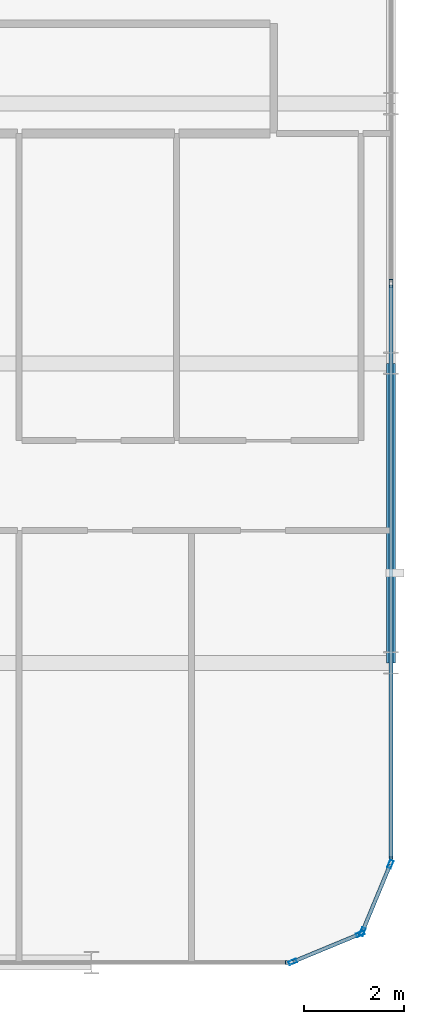
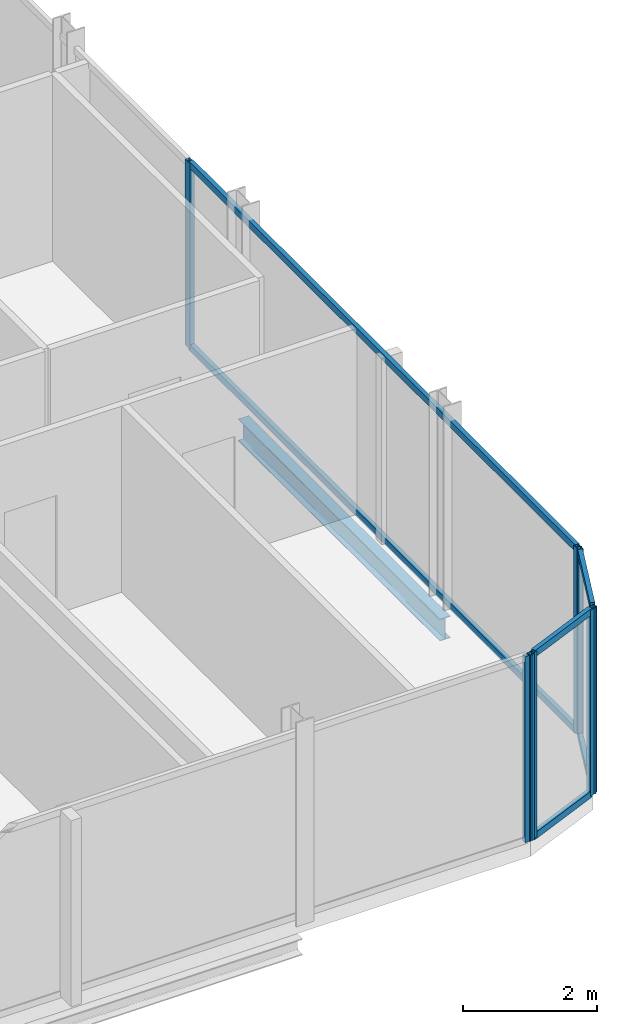
# One storey, part 12 of 29: 13 members, 1 beam, 4 elements without a shape of their own.
"""IFC4 building model written with IfcOpenShell, lengths in metres."""

import ifcopenshell
import ifcopenshell.guid

model = None  # the IFC model being written
_history = None  # IfcOwnerHistory: only IFC2X3 demands one
_inside = {}  # id of a spatial element -> (the spatial element, [elements in it])
_under = {}  # id of a project, library or spatial element -> (it, [spatial elements below it])
_declared = {}  # id of a project -> (the project, [libraries it declares])
_typed = {}  # id of a type object -> (the type object, [elements of that type])
_made_of = {}  # id of a material, layer set ... -> (it, [elements and type objects made of it])


def new_model(schema):
    """Start an empty IFC model of exactly this schema.

    Asked for "IFC4X3", IfcOpenShell would pick the latest addendum, in which some entities
    have other attributes; the version numbers below select the first issue.
    IFC2X3 requires an IfcOwnerHistory on every rooted entity: one is made here for all.
    """
    global model, _history
    if schema == "IFC4X3":
        model = ifcopenshell.file(schema_version=(4, 3, 0, 0))
    else:
        model = ifcopenshell.file(schema=schema)
    _inside.clear()
    _under.clear()
    _declared.clear()
    _typed.clear()
    _made_of.clear()
    _history = None
    if model.schema == "IFC2X3":
        org = make("IfcOrganization", Name="unknown")
        user = make(
            "IfcPersonAndOrganization",
            ThePerson=make("IfcPerson", FamilyName="unknown"),
            TheOrganization=org,
        )
        app = make(
            "IfcApplication",
            ApplicationDeveloper=org,
            Version="unknown",
            ApplicationFullName="unknown",
            ApplicationIdentifier="unknown",
        )
        _history = make(
            "IfcOwnerHistory",
            OwningUser=user,
            OwningApplication=app,
            ChangeAction="ADDED",
            CreationDate=0,
        )
    return model


def make(cls, **values):
    """One entity of the class cls with the attributes given. An attribute that is None is left unset."""
    return model.create_entity(
        cls, **{name: value for name, value in values.items() if value is not None}
    )


def rooted(cls, **values):
    """An entity with a GlobalId (a new one), such as an element, a storey or a relation."""
    return make(cls, GlobalId=ifcopenshell.guid.new(), OwnerHistory=_history, **values)


def si_unit(unit_type, name, prefix=None):
    """IfcSIUnit, for example si_unit("LENGTHUNIT", "METRE", prefix="MILLI")."""
    return make("IfcSIUnit", UnitType=unit_type, Prefix=prefix, Name=name)


def assignment(units):
    """IfcUnitAssignment: the units of a project."""
    return None if units is None else make("IfcUnitAssignment", Units=units)


def point(xyz):
    """IfcCartesianPoint."""
    return None if xyz is None else make("IfcCartesianPoint", Coordinates=xyz)


def direction(xyz):
    """IfcDirection."""
    return None if xyz is None else make("IfcDirection", DirectionRatios=xyz)


def frame(location, z_axis=None, x_axis=None):
    """IfcAxis2Placement3D, a coordinate frame: its origin and axes. An axis left out is left unset."""
    return make(
        "IfcAxis2Placement3D",
        Location=point(location),
        Axis=direction(z_axis),
        RefDirection=direction(x_axis),
    )


def frame_2d(location, x_axis=None):
    """IfcAxis2Placement2D, a coordinate frame in the plane: its origin and x axis."""
    return make(
        "IfcAxis2Placement2D", Location=point(location), RefDirection=direction(x_axis)
    )


def origin():
    """The frame at (0, 0, 0) with its axes left unset."""
    return frame((0.0, 0.0, 0.0))


def origin_2d():
    """The frame at (0, 0) in the plane with its x axis left unset."""
    return frame_2d((0.0, 0.0))


def place(relative_to, where):
    """IfcLocalPlacement: puts the frame where relative to a parent placement (None: the world)."""
    return make(
        "IfcLocalPlacement", PlacementRelTo=relative_to, RelativePlacement=where
    )


def context(
    kind, dimensions, precision=None, world=None, true_north=None, identifier=None
):
    """IfcGeometricRepresentationContext, for example the 3D "Model" context."""
    return make(
        "IfcGeometricRepresentationContext",
        ContextIdentifier=identifier,
        ContextType=kind,
        CoordinateSpaceDimension=dimensions,
        Precision=precision,
        WorldCoordinateSystem=world,
        TrueNorth=true_north,
    )


def subcontext(parent, identifier, kind, view, scale=None):
    """IfcGeometricRepresentationSubContext, for example "Body" below "Model"."""
    return make(
        "IfcGeometricRepresentationSubContext",
        ContextIdentifier=identifier,
        ContextType=kind,
        ParentContext=parent,
        TargetScale=scale,
        TargetView=view,
    )


def project(units=None, contexts=None):
    """IfcProject with its units and contexts."""
    return rooted(
        "IfcProject",
        Name="project",
        RepresentationContexts=contexts,
        UnitsInContext=assignment(units),
    )


def spatial(cls, under=None, at=None, **own):
    """A site, building, storey or space (cls), placed at a placement, below another one or the project."""
    s = rooted(cls, ObjectPlacement=at, **own)
    if under is not None:
        _under.setdefault(under.id(), (under, []))[1].append(s)
    return s


def profile(cls, at=None, kind="AREA", **sizes):
    """A parametric profile (cls). Its sizes go by their IFC names, for example OverallWidth=200.0."""
    return make(cls, ProfileType=kind, Position=at, **sizes)


def hollow_rectangle(**sizes):
    """IfcRectangleHollowProfileDef."""
    return profile("IfcRectangleHollowProfileDef", **sizes)


def i_section(**sizes):
    """IfcIShapeProfileDef."""
    return profile("IfcIShapeProfileDef", **sizes)


def extrude(swept, where, along, depth):
    """IfcExtrudedAreaSolid: the profile swept, set in the frame where, extruded along a direction by depth."""
    return make(
        "IfcExtrudedAreaSolid",
        SweptArea=swept,
        Position=where,
        ExtrudedDirection=direction(along),
        Depth=depth,
    )


def shape(context_of_items, identifier, shape_type, items):
    """IfcShapeRepresentation: the items that make up one representation, for example the "Body"."""
    return make(
        "IfcShapeRepresentation",
        ContextOfItems=context_of_items,
        RepresentationIdentifier=identifier,
        RepresentationType=shape_type,
        Items=items,
    )


def material(Name=None, Category=None):
    """IfcMaterial."""
    return make("IfcMaterial", Name=Name, Category=Category)


def layer(
    of_material, thickness, ventilated=None, Name=None, Category=None, Priority=None
):
    """IfcMaterialLayer: one layer of a wall or slab, of a material (None: an air gap)."""
    return make(
        "IfcMaterialLayer",
        Material=of_material,
        LayerThickness=thickness,
        IsVentilated=ventilated,
        Name=Name,
        Category=Category,
        Priority=Priority,
    )


def layer_set(layers, Name=None):
    """IfcMaterialLayerSet."""
    return make("IfcMaterialLayerSet", MaterialLayers=layers, LayerSetName=Name)


def material_profile(
    of_material, cross_section, Name=None, Category=None, Priority=None
):
    """IfcMaterialProfile: a cross section and its material."""
    return make(
        "IfcMaterialProfile",
        Name=Name,
        Material=of_material,
        Profile=cross_section,
        Priority=Priority,
        Category=Category,
    )


def profile_set(profiles, Name=None, composite=None):
    """IfcMaterialProfileSet."""
    return make(
        "IfcMaterialProfileSet",
        Name=Name,
        MaterialProfiles=profiles,
        CompositeProfile=composite,
    )


def made_of(thing, what):
    """Note that an element or type object is made of a material, layer set ...; save() writes the relation."""
    if what is not None:
        _made_of.setdefault(what.id(), (what, []))[1].append(thing)
    return thing


def type_object(cls, material=None, **own):
    """A type object (cls), such as IfcWallType, which elements share."""
    return made_of(rooted(cls, **own), material)


def element(
    cls,
    number,
    at=None,
    inside=None,
    cuts=None,
    type_object=None,
    material=None,
    context=None,
    identifier="Body",
    shape_type=None,
    held_by="IfcProductDefinitionShape",
    body=None,
    shapes=None,
    **own,
):
    """One element of the class cls, such as IfcWall. Its Tag is "e" and its number.

    at: its placement. inside: the storey or other place that contains it. cuts: it is an
    opening in that element (IfcRelVoidsElement). A single representation is given by context,
    identifier, shape_type and body (its items); several are given by shapes. held_by: the class
    of the entity that holds the representations. save() writes the other relations.
    """
    e = rooted(cls, Tag="e%d" % number, ObjectPlacement=at, **own)
    if body is not None:
        shapes = [shape(context, identifier, shape_type, body)]
    if shapes is not None:
        e.Representation = make(held_by, Representations=shapes)
    if inside is not None:
        _inside.setdefault(inside.id(), (inside, []))[1].append(e)
    if cuts is not None:
        rooted(
            "IfcRelVoidsElement", RelatingBuildingElement=cuts, RelatedOpeningElement=e
        )
    if type_object is not None:
        _typed.setdefault(type_object.id(), (type_object, []))[1].append(e)
    return made_of(e, material)


def aggregate(whole, parts):
    """IfcRelAggregates: a whole, such as a stair, and the parts it consists of."""
    return rooted("IfcRelAggregates", RelatingObject=whole, RelatedObjects=parts)


def save(model, path):
    """Write the relations noted so far, then the file.

    IfcRelAggregates (storeys below a building ...), IfcRelContainedInSpatialStructure (elements
    in a storey), IfcRelDefinesByType, IfcRelAssociatesMaterial and IfcRelDeclares: one each for
    every whole, place, type object, material and project.
    """
    for whole, parts in _under.values():
        aggregate(whole, parts)
    for where, things in _inside.values():
        rooted(
            "IfcRelContainedInSpatialStructure",
            RelatedElements=things,
            RelatingStructure=where,
        )
    for kind, things in _typed.values():
        rooted("IfcRelDefinesByType", RelatedObjects=things, RelatingType=kind)
    for what, things in _made_of.values():
        rooted("IfcRelAssociatesMaterial", RelatedObjects=things, RelatingMaterial=what)
    for by, libraries in _declared.values():
        rooted("IfcRelDeclares", RelatingContext=by, RelatedDefinitions=libraries)
    model.write(path)


model = new_model("IFC4")

# Units and contexts
model_context = context("Model", 3, precision=1e-05, world=origin(), true_north=direction((0.0, 1.0)))
body_context = subcontext(model_context, "Body", "Model", "MODEL_VIEW")
ifc_project = project(units=[si_unit("LENGTHUNIT", "METRE"), si_unit("AREAUNIT", "SQUARE_METRE"), si_unit("VOLUMEUNIT", "CUBIC_METRE"), si_unit("PLANEANGLEUNIT", "RADIAN"), si_unit("MASSUNIT", "GRAM", prefix="KILO")], contexts=[model_context])

# Site, building, storey
site_placement = place(None, origin())
site = spatial("IfcSite", under=ifc_project, at=site_placement, CompositionType="ELEMENT")
building_placement = place(site_placement, origin())
building = spatial("IfcBuilding", under=site, at=building_placement, Name="Keshet Zoharim Tower", CompositionType="ELEMENT")
storey_placement = place(building_placement, frame((0.0, 0.0, 180.199951171875)))
storey = spatial("IfcBuildingStorey", under=building, at=storey_placement, Name="L44", CompositionType="ELEMENT", Elevation=180.199951171875)

# Beam
ifc_material_1 = material(Name="Steel S355", Category="steel")
ifc_material_profile_1 = material_profile(ifc_material_1, i_section(OverallWidth=0.179931640625, OverallDepth=0.39990234375, WebThickness=0.008544921875, FlangeThickness=0.013427734375, FilletRadius=0.02099609375, at=origin_2d()), Name="IPE400")
ifc_profile_set_1 = profile_set([ifc_material_profile_1], Name="Steel S355")
beam_type = type_object("IfcBeamType", Name="BM-PRI-IP400", PredefinedType="BEAM", material=ifc_profile_set_1)
beam_placement = place(storey_placement, frame((57.0, 6.699951171875, -0.510009765625), z_axis=(0.0, 1.0, 0.0), x_axis=(-1.0, 0.0, 0.0)))
element("IfcBeam", 1, at=beam_placement, inside=storey, type_object=beam_type, Name="L44 Primary Girder Y-013", PredefinedType="BEAM", context=body_context, shape_type="SweptSolid", body=[
    extrude(i_section(OverallWidth=0.179931640625, OverallDepth=0.39990234375, WebThickness=0.008544921875, FlangeThickness=0.013427734375, FilletRadius=0.02099609375, at=origin_2d()), origin(), (0.0, 0.0, 1.0), 6.0),
])

# Curtain wall, members
ifc_material_2 = material(Name="Aluminium 6063-T6", Category="aluminium")
ifc_layer = layer(ifc_material_2, 0.139892578125)
ifc_layer_set = layer_set([ifc_layer], Name="Aluminium 6063-T6")
curtain_wall_type = type_object("IfcCurtainWallType", Name="CW-SYS-05", PredefinedType="NOTDEFINED", material=ifc_layer_set)
curtain_wall_1_placement = place(storey_placement, origin())
curtain_wall_1 = element("IfcCurtainWall", 2, at=curtain_wall_1_placement, inside=storey, type_object=curtain_wall_type, Name="L44 Unitised Curtain Wall 03", PredefinedType="NOTDEFINED")
ifc_material_profile_2 = material_profile(ifc_material_2, hollow_rectangle(XDim=0.074951171875, YDim=0.159912109375, WallThickness=0.00390625, at=origin_2d()), Name="MUL-75x160")
ifc_profile_set_2 = profile_set([ifc_material_profile_2], Name="Aluminium 6063-T6")
member_type_1 = type_object("IfcMemberType", Name="CWM-M15", PredefinedType="MULLION", material=ifc_profile_set_2)
member_1_placement = place(storey_placement, frame((57.0, 14.300048828125, 0.0), z_axis=(0.0, 0.0, 1.0), x_axis=(1.0, 0.0, 0.0)))
member_1 = element("IfcMember", 3, at=member_1_placement, type_object=member_type_1, Name="CW-05 mullion 2", PredefinedType="MULLION", context=body_context, shape_type="SweptSolid", body=[
    extrude(hollow_rectangle(XDim=0.074951171875, YDim=0.159912109375, WallThickness=0.00390625, at=origin_2d()), origin(), (0.0, 0.0, 1.0), 3.380126953125),
])
member_2_placement = place(storey_placement, frame((57.0, 2.735107421875, 0.0), z_axis=(0.0, 0.0, 1.0), x_axis=(1.0, 0.0, 0.0)))
member_2 = element("IfcMember", 4, at=member_2_placement, type_object=member_type_1, Name="CW-05 mullion 3", PredefinedType="MULLION", context=body_context, shape_type="SweptSolid", body=[
    extrude(hollow_rectangle(XDim=0.074951171875, YDim=0.159912109375, WallThickness=0.00390625, at=origin_2d()), origin(), (0.0, 0.0, 1.0), 3.380126953125),
])

curtain_wall_2_placement = place(storey_placement, origin())
curtain_wall_2 = element("IfcCurtainWall", 5, at=curtain_wall_2_placement, inside=storey, type_object=curtain_wall_type, Name="L44 Unitised Curtain Wall 04", PredefinedType="NOTDEFINED")
member_3_placement = place(storey_placement, frame((56.986572265625, 2.667724609375, 0.0), z_axis=(0.0, 0.0, 1.0), x_axis=(0.92380975372, -0.382851849847, 0.0)))
member_3 = element("IfcMember", 6, at=member_3_placement, type_object=member_type_1, Name="CW-05 mullion 1", PredefinedType="MULLION", context=body_context, shape_type="SweptSolid", body=[
    extrude(hollow_rectangle(XDim=0.074951171875, YDim=0.159912109375, WallThickness=0.00390625, at=origin_2d()), origin(), (0.0, 0.0, 1.0), 3.380126953125),
])
member_4_placement = place(storey_placement, frame((56.427490234375, 1.318359375, 0.0), z_axis=(0.0, 0.0, 1.0), x_axis=(0.92380975372, -0.382851849847, 0.0)))
member_4 = element("IfcMember", 7, at=member_4_placement, type_object=member_type_1, Name="CW-05 mullion 2", PredefinedType="MULLION", context=body_context, shape_type="SweptSolid", body=[
    extrude(hollow_rectangle(XDim=0.074951171875, YDim=0.159912109375, WallThickness=0.00390625, at=origin_2d()), origin(), (0.0, 0.0, 1.0), 3.380126953125),
])

curtain_wall_3_placement = place(storey_placement, origin())
curtain_wall_3 = element("IfcCurtainWall", 8, at=curtain_wall_3_placement, inside=storey, type_object=curtain_wall_type, Name="L44 Unitised Curtain Wall 05", PredefinedType="NOTDEFINED")
member_5_placement = place(storey_placement, frame((56.381591796875, 1.272705078125, 0.0), z_axis=(0.0, 0.0, 1.0), x_axis=(0.382851849847, -0.92380975372, 0.0)))
member_5 = element("IfcMember", 9, at=member_5_placement, type_object=member_type_1, Name="CW-05 mullion 1", PredefinedType="MULLION", context=body_context, shape_type="SweptSolid", body=[
    extrude(hollow_rectangle(XDim=0.074951171875, YDim=0.159912109375, WallThickness=0.00390625, at=origin_2d()), origin(), (0.0, 0.0, 1.0), 3.380126953125),
])
member_6_placement = place(storey_placement, frame((55.0322265625, 0.71337890625, 0.0), z_axis=(0.0, 0.0, 1.0), x_axis=(0.382851849847, -0.92380975372, 0.0)))
member_6 = element("IfcMember", 10, at=member_6_placement, type_object=member_type_1, Name="CW-05 mullion 2", PredefinedType="MULLION", context=body_context, shape_type="SweptSolid", body=[
    extrude(hollow_rectangle(XDim=0.074951171875, YDim=0.159912109375, WallThickness=0.00390625, at=origin_2d()), origin(), (0.0, 0.0, 1.0), 3.380126953125),
])

# Curtain wall, member
curtain_wall_4_placement = place(storey_placement, origin())
curtain_wall_4 = element("IfcCurtainWall", 11, at=curtain_wall_4_placement, inside=storey, type_object=curtain_wall_type, Name="L44 Unitised Curtain Wall 06", PredefinedType="NOTDEFINED")
member_7_placement = place(storey_placement, frame((54.965087890625, 0.699951171875, 0.0), z_axis=(0.0, 0.0, 1.0), x_axis=(0.0, -1.0, 0.0)))
member_7 = element("IfcMember", 12, at=member_7_placement, type_object=member_type_1, Name="CW-05 mullion 1", PredefinedType="MULLION", context=body_context, shape_type="SweptSolid", body=[
    extrude(hollow_rectangle(XDim=0.074951171875, YDim=0.159912109375, WallThickness=0.00390625, at=origin_2d()), origin(), (0.0, 0.0, 1.0), 3.380126953125),
])
aggregate(curtain_wall_4, [member_7])

# Member
ifc_material_profile_3 = material_profile(ifc_material_2, hollow_rectangle(XDim=0.074951171875, YDim=0.1201171875, WallThickness=0.00390625, at=origin_2d()), Name="TRN-75x120")
ifc_profile_set_3 = profile_set([ifc_material_profile_3], Name="Aluminium 6063-T6")
member_type_2 = type_object("IfcMemberType", Name="CWT-T12", PredefinedType="USERDEFINED", material=ifc_profile_set_3)
member_8_placement = place(storey_placement, frame((57.0, 14.264892578125, 0.03515625), z_axis=(0.0, -1.0, 0.0), x_axis=(1.0, 0.0, 0.0)))
member_8 = element("IfcMember", 13, at=member_8_placement, type_object=member_type_2, Name="CW-05 transom 2.1", ObjectType="TRANSOM", PredefinedType="USERDEFINED", context=body_context, shape_type="SweptSolid", body=[
    extrude(hollow_rectangle(XDim=0.074951171875, YDim=0.1201171875, WallThickness=0.00390625, at=origin_2d()), origin(), (0.0, 0.0, 1.0), 11.494873046875),
])

member_9_placement = place(storey_placement, frame((57.0, 14.264892578125, 3.344970703125), z_axis=(0.0, -1.0, 0.0), x_axis=(1.0, 0.0, 0.0)))
member_9 = element("IfcMember", 14, at=member_9_placement, type_object=member_type_2, Name="CW-05 transom 2.2", ObjectType="TRANSOM", PredefinedType="USERDEFINED", context=body_context, shape_type="SweptSolid", body=[
    extrude(hollow_rectangle(XDim=0.074951171875, YDim=0.1201171875, WallThickness=0.00390625, at=origin_2d()), origin(), (0.0, 0.0, 1.0), 11.494873046875),
])

aggregate(curtain_wall_1, [member_1, member_2, member_8, member_9])

member_10_placement = place(storey_placement, frame((56.97314453125, 2.63525390625, 0.03515625), z_axis=(-0.382744609247, -0.923854189844, 0.0), x_axis=(0.923854189844, -0.382744609247, 0.0)))
member_10 = element("IfcMember", 15, at=member_10_placement, type_object=member_type_2, Name="CW-05 transom 1.1", ObjectType="TRANSOM", PredefinedType="USERDEFINED", context=body_context, shape_type="SweptSolid", body=[
    extrude(hollow_rectangle(XDim=0.074951171875, YDim=0.1201171875, WallThickness=0.00390625, at=origin_2d()), origin(), (0.0, 0.0, 1.0), 1.390625),
])

member_11_placement = place(storey_placement, frame((56.97314453125, 2.63525390625, 3.344970703125), z_axis=(-0.382744609247, -0.923854189844, 0.0), x_axis=(0.923854189844, -0.382744609247, 0.0)))
member_11 = element("IfcMember", 16, at=member_11_placement, type_object=member_type_2, Name="CW-05 transom 1.2", ObjectType="TRANSOM", PredefinedType="USERDEFINED", context=body_context, shape_type="SweptSolid", body=[
    extrude(hollow_rectangle(XDim=0.074951171875, YDim=0.1201171875, WallThickness=0.00390625, at=origin_2d()), origin(), (0.0, 0.0, 1.0), 1.390625),
])

aggregate(curtain_wall_2, [member_3, member_4, member_10, member_11])

member_12_placement = place(storey_placement, frame((56.349365234375, 1.25927734375, 0.03515625), z_axis=(-0.92379209995, -0.382894445076, 0.0), x_axis=(0.382894445076, -0.92379209995, 0.0)))
member_12 = element("IfcMember", 17, at=member_12_placement, type_object=member_type_2, Name="CW-05 transom 1.1", ObjectType="TRANSOM", PredefinedType="USERDEFINED", context=body_context, shape_type="SweptSolid", body=[
    extrude(hollow_rectangle(XDim=0.074951171875, YDim=0.1201171875, WallThickness=0.00390625, at=origin_2d()), origin(), (0.0, 0.0, 1.0), 1.390625),
])

member_13_placement = place(storey_placement, frame((56.349365234375, 1.25927734375, 3.344970703125), z_axis=(-0.92379209995, -0.382894445076, 0.0), x_axis=(0.382894445076, -0.92379209995, 0.0)))
member_13 = element("IfcMember", 18, at=member_13_placement, type_object=member_type_2, Name="CW-05 transom 1.2", ObjectType="TRANSOM", PredefinedType="USERDEFINED", context=body_context, shape_type="SweptSolid", body=[
    extrude(hollow_rectangle(XDim=0.074951171875, YDim=0.1201171875, WallThickness=0.00390625, at=origin_2d()), origin(), (0.0, 0.0, 1.0), 1.390625),
])

aggregate(curtain_wall_3, [member_5, member_6, member_12, member_13])

save(model, "model.ifc")
